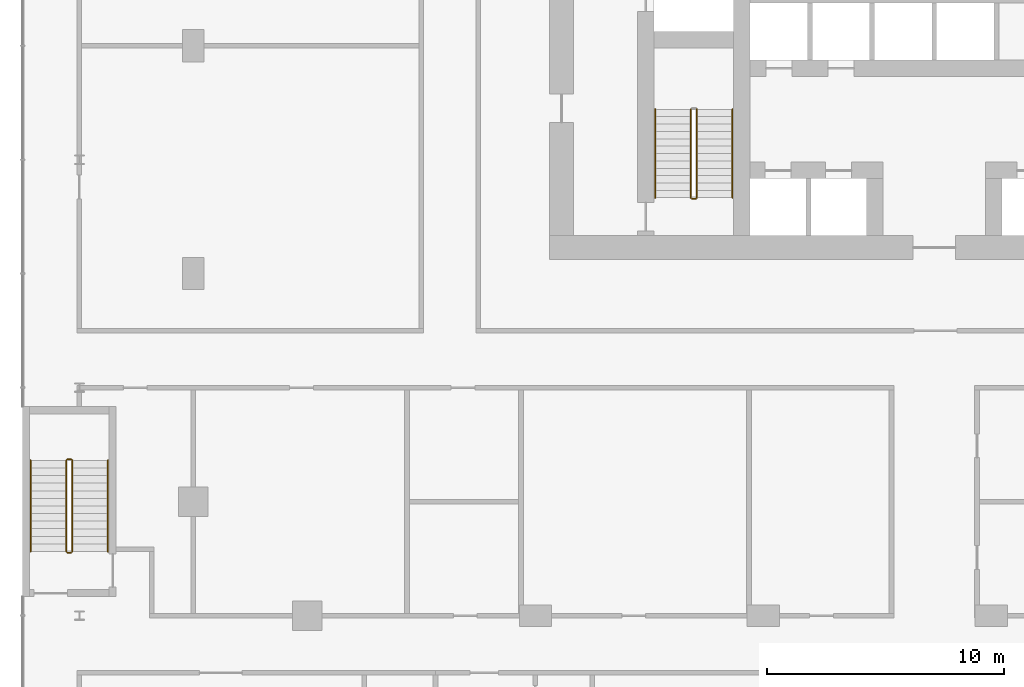
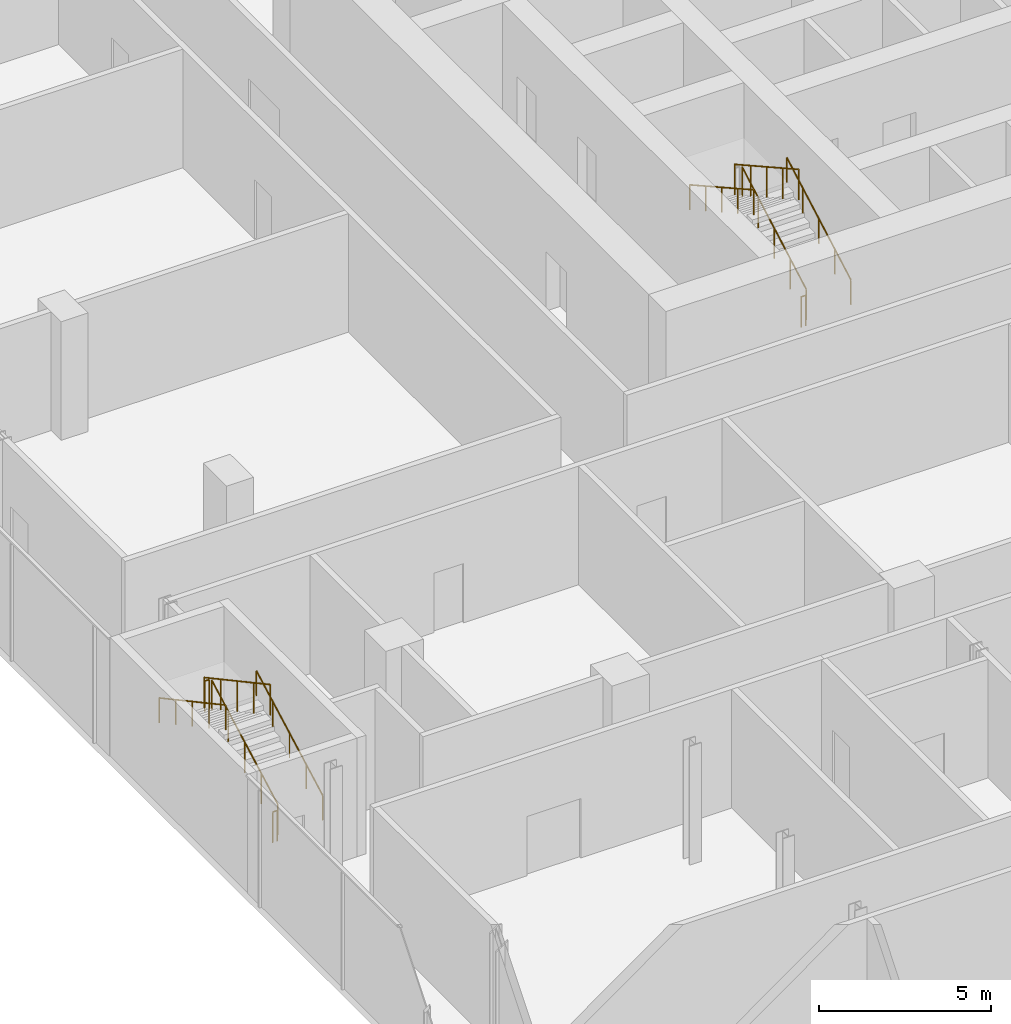
# One storey, part 38 of 43: 11 railings.
"""IFC4 building model written with IfcOpenShell, lengths in metres."""

from ifc_helpers import new_model, si_unit, direction, frame, origin, origin_2d, place, context, subcontext, project, spatial, circle, extrude, material, type_object, element, save


model = new_model("IFC4")

# Units and contexts
model_context = context("Model", 3, precision=1e-05, world=origin(), true_north=direction((0.0, 1.0)))
body_context = subcontext(model_context, "Body", "Model", "MODEL_VIEW")
ifc_project = project(units=[si_unit("LENGTHUNIT", "METRE"), si_unit("AREAUNIT", "SQUARE_METRE"), si_unit("VOLUMEUNIT", "CUBIC_METRE"), si_unit("PLANEANGLEUNIT", "RADIAN"), si_unit("MASSUNIT", "GRAM", prefix="KILO")], contexts=[model_context])

# Site, building, storey
site_placement = place(None, origin())
site = spatial("IfcSite", under=ifc_project, at=site_placement, CompositionType="ELEMENT")
building_placement = place(site_placement, origin())
building = spatial("IfcBuilding", under=site, at=building_placement, Name="Madar Terraces", CompositionType="ELEMENT")
storey_placement = place(building_placement, frame((0.0, 0.0, 10.5)))
storey = spatial("IfcBuildingStorey", under=building, at=storey_placement, Name="L02", CompositionType="ELEMENT", Elevation=10.5)

# Railings
ifc_material_1 = material(Name="Stainless steel railing", Category="steel")
railing_type_1 = type_object("IfcRailingType", Name="Stair guard 1100", PredefinedType="GUARDRAIL", material=ifc_material_1)
railing_1_placement = place(storey_placement, frame((21.199951171875, 17.60009765625, 0.173095703125)))
element("IfcRailing", 1, at=railing_1_placement, inside=storey, type_object=railing_type_1, Name="L02 ST1 stair guard 1", PredefinedType="GUARDRAIL", context=body_context, shape_type="SweptSolid", body=[
    extrude(circle(Radius=0.02392578125, at=origin_2d()), frame((0.0, 0.0, 1.076171875), z_axis=(0.0, 0.873133609054, 0.487480974747), x_axis=(-1.0, 0.0, 0.0)), (0.0, 0.0, 1.0), 4.260498046875),
    extrude(circle(Radius=0.02099609375, at=origin_2d()), origin(), (0.0, 0.0, 1.0), 1.052001953125),
    extrude(circle(Radius=0.02099609375, at=origin_2d()), frame((0.0, 0.929931640625, 0.519287109375)), (0.0, 0.0, 1.0), 1.052001953125),
    extrude(circle(Radius=0.02099609375, at=origin_2d()), frame((0.0, 1.85986328125, 1.03857421875)), (0.0, 0.0, 1.0), 1.052001953125),
    extrude(circle(Radius=0.02099609375, at=origin_2d()), frame((0.0, 2.7900390625, 1.5576171875)), (0.0, 0.0, 1.0), 1.052001953125),
    extrude(circle(Radius=0.02099609375, at=origin_2d()), frame((0.0, 3.719970703125, 2.076904296875)), (0.0, 0.0, 1.0), 1.052001953125),
])
railing_2_placement = place(storey_placement, frame((20.949951171875, 21.320068359375, 2.423095703125)))
element("IfcRailing", 2, at=railing_2_placement, inside=storey, type_object=railing_type_1, Name="L02 ST1 stair guard 3", PredefinedType="GUARDRAIL", context=body_context, shape_type="SweptSolid", body=[
    extrude(circle(Radius=0.02392578125, at=origin_2d()), frame((0.0, 0.0, 1.076171875), z_axis=(0.0, -0.873133609054, 0.487480974747), x_axis=(1.0, 0.0, 0.0)), (0.0, 0.0, 1.0), 4.260498046875),
    extrude(circle(Radius=0.02099609375, at=origin_2d()), origin(), (0.0, 0.0, 1.0), 1.052001953125),
    extrude(circle(Radius=0.02099609375, at=origin_2d()), frame((0.0, -0.929931640625, 0.519287109375)), (0.0, 0.0, 1.0), 1.052001953125),
    extrude(circle(Radius=0.02099609375, at=origin_2d()), frame((0.0, -1.85986328125, 1.03857421875)), (0.0, 0.0, 1.0), 1.052001953125),
    extrude(circle(Radius=0.02099609375, at=origin_2d()), frame((0.0, -2.7900390625, 1.5576171875)), (0.0, 0.0, 1.0), 1.052001953125),
    extrude(circle(Radius=0.02099609375, at=origin_2d()), frame((0.0, -3.719970703125, 2.076904296875)), (0.0, 0.0, 1.0), 1.052001953125),
])
railing_3_placement = place(storey_placement, frame((21.14990234375, 17.550048828125, 0.0)))
element("IfcRailing", 3, at=railing_3_placement, inside=storey, type_object=railing_type_1, Name="L02 ST1 stair guard 4", PredefinedType="GUARDRAIL", context=body_context, shape_type="SweptSolid", body=[
    extrude(circle(Radius=0.02392578125, at=origin_2d()), frame((0.0, 0.0, 1.076171875), z_axis=(-1.0, 0.0, 0.0), x_axis=(0.0, -1.0, 0.0)), (0.0, 0.0, 1.0), 0.14990234375),
    extrude(circle(Radius=0.02099609375, at=origin_2d()), origin(), (0.0, 0.0, 1.0), 1.052001953125),
    extrude(circle(Radius=0.02099609375, at=origin_2d()), frame((-0.14990234375, 0.0, 0.0)), (0.0, 0.0, 1.0), 1.052001953125),
])
railing_4_placement = place(storey_placement, frame((-5.10009765625, 2.699951171875, 0.173095703125)))
element("IfcRailing", 4, at=railing_4_placement, inside=storey, type_object=railing_type_1, Name="L02 PS1 stair guard 1", PredefinedType="GUARDRAIL", context=body_context, shape_type="SweptSolid", body=[
    extrude(circle(Radius=0.02392578125, at=origin_2d()), frame((0.0, 0.0, 1.076171875), z_axis=(0.0, 0.879593317441, 0.475726387658), x_axis=(-1.0, 0.0, 0.0)), (0.0, 0.0, 1.0), 4.36572265625),
    extrude(circle(Radius=0.02099609375, at=origin_2d()), origin(), (0.0, 0.0, 1.0), 1.052001953125),
    extrude(circle(Radius=0.02099609375, at=origin_2d()), frame((0.0, 0.9599609375, 0.519287109375)), (0.0, 0.0, 1.0), 1.052001953125),
    extrude(circle(Radius=0.02099609375, at=origin_2d()), frame((0.0, 1.919921875, 1.03857421875)), (0.0, 0.0, 1.0), 1.052001953125),
    extrude(circle(Radius=0.02099609375, at=origin_2d()), frame((0.0, 2.880126953125, 1.5576171875)), (0.0, 0.0, 1.0), 1.052001953125),
    extrude(circle(Radius=0.02099609375, at=origin_2d()), frame((0.0, 3.840087890625, 2.076904296875)), (0.0, 0.0, 1.0), 1.052001953125),
])
railing_5_placement = place(storey_placement, frame((-5.14990234375, 6.590087890625, 2.25)))
element("IfcRailing", 5, at=railing_5_placement, inside=storey, type_object=railing_type_1, Name="L02 PS1 stair guard 2", PredefinedType="GUARDRAIL", context=body_context, shape_type="SweptSolid", body=[
    extrude(circle(Radius=0.02392578125, at=origin_2d()), frame((0.0, 0.0, 1.076171875), z_axis=(-1.0, 0.0, 0.0), x_axis=(0.0, -1.0, 0.0)), (0.0, 0.0, 1.0), 0.150146484375),
    extrude(circle(Radius=0.02099609375, at=origin_2d()), origin(), (0.0, 0.0, 1.0), 1.052001953125),
    extrude(circle(Radius=0.02099609375, at=origin_2d()), frame((-0.150146484375, 0.0, 0.0)), (0.0, 0.0, 1.0), 1.052001953125),
])
railing_6_placement = place(storey_placement, frame((-5.35009765625, 6.5400390625, 2.423095703125)))
element("IfcRailing", 6, at=railing_6_placement, inside=storey, type_object=railing_type_1, Name="L02 PS1 stair guard 3", PredefinedType="GUARDRAIL", context=body_context, shape_type="SweptSolid", body=[
    extrude(circle(Radius=0.02392578125, at=origin_2d()), frame((0.0, 0.0, 1.076171875), z_axis=(0.0, -0.879593317441, 0.475726387658), x_axis=(1.0, 0.0, 0.0)), (0.0, 0.0, 1.0), 4.36572265625),
    extrude(circle(Radius=0.02099609375, at=origin_2d()), origin(), (0.0, 0.0, 1.0), 1.052001953125),
    extrude(circle(Radius=0.02099609375, at=origin_2d()), frame((0.0, -0.9599609375, 0.519287109375)), (0.0, 0.0, 1.0), 1.052001953125),
    extrude(circle(Radius=0.02099609375, at=origin_2d()), frame((0.0, -1.919921875, 1.03857421875)), (0.0, 0.0, 1.0), 1.052001953125),
    extrude(circle(Radius=0.02099609375, at=origin_2d()), frame((0.0, -2.880126953125, 1.5576171875)), (0.0, 0.0, 1.0), 1.052001953125),
    extrude(circle(Radius=0.02099609375, at=origin_2d()), frame((0.0, -3.840087890625, 2.076904296875)), (0.0, 0.0, 1.0), 1.052001953125),
])
railing_7_placement = place(storey_placement, frame((-5.14990234375, 2.64990234375, 0.0)))
element("IfcRailing", 7, at=railing_7_placement, inside=storey, type_object=railing_type_1, Name="L02 PS1 stair guard 4", PredefinedType="GUARDRAIL", context=body_context, shape_type="SweptSolid", body=[
    extrude(circle(Radius=0.02392578125, at=origin_2d()), frame((0.0, 0.0, 1.076171875), z_axis=(-1.0, 0.0, 0.0), x_axis=(0.0, -1.0, 0.0)), (0.0, 0.0, 1.0), 0.150146484375),
    extrude(circle(Radius=0.02099609375, at=origin_2d()), origin(), (0.0, 0.0, 1.0), 1.052001953125),
    extrude(circle(Radius=0.02099609375, at=origin_2d()), frame((-0.150146484375, 0.0, 0.0)), (0.0, 0.0, 1.0), 1.052001953125),
])
ifc_material_2 = material(Name="Stainless steel railing", Category="steel")
railing_type_2 = type_object("IfcRailingType", Name="Stair handrail 900", PredefinedType="HANDRAIL", material=ifc_material_2)
railing_8_placement = place(storey_placement, frame((22.699951171875, 17.60009765625, 0.173095703125)))
element("IfcRailing", 8, at=railing_8_placement, inside=storey, type_object=railing_type_2, Name="L02 ST1 stair handrail 1", PredefinedType="HANDRAIL", context=body_context, shape_type="SweptSolid", body=[
    extrude(circle(Radius=0.02392578125, at=origin_2d()), frame((0.0, 0.0, 0.8759765625), z_axis=(0.0, 0.873133609054, 0.487480974747), x_axis=(-1.0, 0.0, 0.0)), (0.0, 0.0, 1.0), 4.260498046875),
    extrude(circle(Radius=0.02099609375, at=origin_2d()), origin(), (0.0, 0.0, 1.0), 0.851806640625),
    extrude(circle(Radius=0.02099609375, at=origin_2d()), frame((0.0, 0.929931640625, 0.519287109375)), (0.0, 0.0, 1.0), 0.851806640625),
    extrude(circle(Radius=0.02099609375, at=origin_2d()), frame((0.0, 1.85986328125, 1.03857421875)), (0.0, 0.0, 1.0), 0.851806640625),
    extrude(circle(Radius=0.02099609375, at=origin_2d()), frame((0.0, 2.7900390625, 1.5576171875)), (0.0, 0.0, 1.0), 0.851806640625),
    extrude(circle(Radius=0.02099609375, at=origin_2d()), frame((0.0, 3.719970703125, 2.076904296875)), (0.0, 0.0, 1.0), 0.851806640625),
])
railing_9_placement = place(storey_placement, frame((19.449951171875, 21.320068359375, 2.423095703125)))
element("IfcRailing", 9, at=railing_9_placement, inside=storey, type_object=railing_type_2, Name="L02 ST1 stair handrail 2", PredefinedType="HANDRAIL", context=body_context, shape_type="SweptSolid", body=[
    extrude(circle(Radius=0.02392578125, at=origin_2d()), frame((0.0, 0.0, 0.8759765625), z_axis=(0.0, -0.873133609054, 0.487480974747), x_axis=(1.0, 0.0, 0.0)), (0.0, 0.0, 1.0), 4.260498046875),
    extrude(circle(Radius=0.02099609375, at=origin_2d()), origin(), (0.0, 0.0, 1.0), 0.851806640625),
    extrude(circle(Radius=0.02099609375, at=origin_2d()), frame((0.0, -0.929931640625, 0.519287109375)), (0.0, 0.0, 1.0), 0.851806640625),
    extrude(circle(Radius=0.02099609375, at=origin_2d()), frame((0.0, -1.85986328125, 1.03857421875)), (0.0, 0.0, 1.0), 0.851806640625),
    extrude(circle(Radius=0.02099609375, at=origin_2d()), frame((0.0, -2.7900390625, 1.5576171875)), (0.0, 0.0, 1.0), 0.851806640625),
    extrude(circle(Radius=0.02099609375, at=origin_2d()), frame((0.0, -3.719970703125, 2.076904296875)), (0.0, 0.0, 1.0), 0.851806640625),
])
railing_10_placement = place(storey_placement, frame((-3.60009765625, 2.699951171875, 0.173095703125)))
element("IfcRailing", 10, at=railing_10_placement, inside=storey, type_object=railing_type_2, Name="L02 PS1 stair handrail 1", PredefinedType="HANDRAIL", context=body_context, shape_type="SweptSolid", body=[
    extrude(circle(Radius=0.02392578125, at=origin_2d()), frame((0.0, 0.0, 0.8759765625), z_axis=(0.0, 0.879593317441, 0.475726387658), x_axis=(-1.0, 0.0, 0.0)), (0.0, 0.0, 1.0), 4.36572265625),
    extrude(circle(Radius=0.02099609375, at=origin_2d()), origin(), (0.0, 0.0, 1.0), 0.851806640625),
    extrude(circle(Radius=0.02099609375, at=origin_2d()), frame((0.0, 0.9599609375, 0.519287109375)), (0.0, 0.0, 1.0), 0.851806640625),
    extrude(circle(Radius=0.02099609375, at=origin_2d()), frame((0.0, 1.919921875, 1.03857421875)), (0.0, 0.0, 1.0), 0.851806640625),
    extrude(circle(Radius=0.02099609375, at=origin_2d()), frame((0.0, 2.880126953125, 1.5576171875)), (0.0, 0.0, 1.0), 0.851806640625),
    extrude(circle(Radius=0.02099609375, at=origin_2d()), frame((0.0, 3.840087890625, 2.076904296875)), (0.0, 0.0, 1.0), 0.851806640625),
])
railing_11_placement = place(storey_placement, frame((-6.85009765625, 6.5400390625, 2.423095703125)))
element("IfcRailing", 11, at=railing_11_placement, inside=storey, type_object=railing_type_2, Name="L02 PS1 stair handrail 2", PredefinedType="HANDRAIL", context=body_context, shape_type="SweptSolid", body=[
    extrude(circle(Radius=0.02392578125, at=origin_2d()), frame((0.0, 0.0, 0.8759765625), z_axis=(0.0, -0.879593317441, 0.475726387658), x_axis=(1.0, 0.0, 0.0)), (0.0, 0.0, 1.0), 4.36572265625),
    extrude(circle(Radius=0.02099609375, at=origin_2d()), origin(), (0.0, 0.0, 1.0), 0.851806640625),
    extrude(circle(Radius=0.02099609375, at=origin_2d()), frame((0.0, -0.9599609375, 0.519287109375)), (0.0, 0.0, 1.0), 0.851806640625),
    extrude(circle(Radius=0.02099609375, at=origin_2d()), frame((0.0, -1.919921875, 1.03857421875)), (0.0, 0.0, 1.0), 0.851806640625),
    extrude(circle(Radius=0.02099609375, at=origin_2d()), frame((0.0, -2.880126953125, 1.5576171875)), (0.0, 0.0, 1.0), 0.851806640625),
    extrude(circle(Radius=0.02099609375, at=origin_2d()), frame((0.0, -3.840087890625, 2.076904296875)), (0.0, 0.0, 1.0), 0.851806640625),
])

save(model, "model.ifc")
